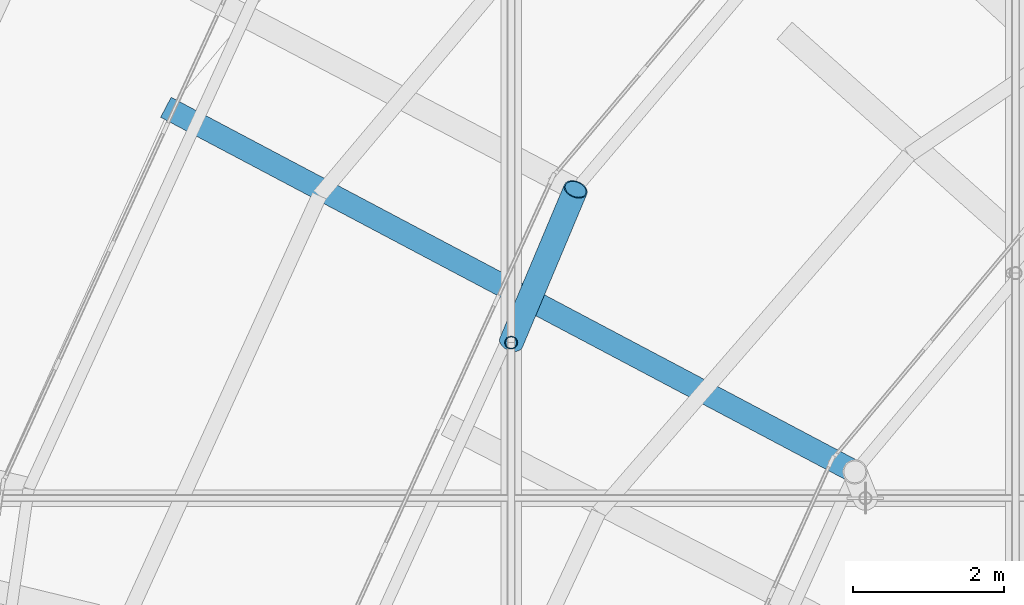
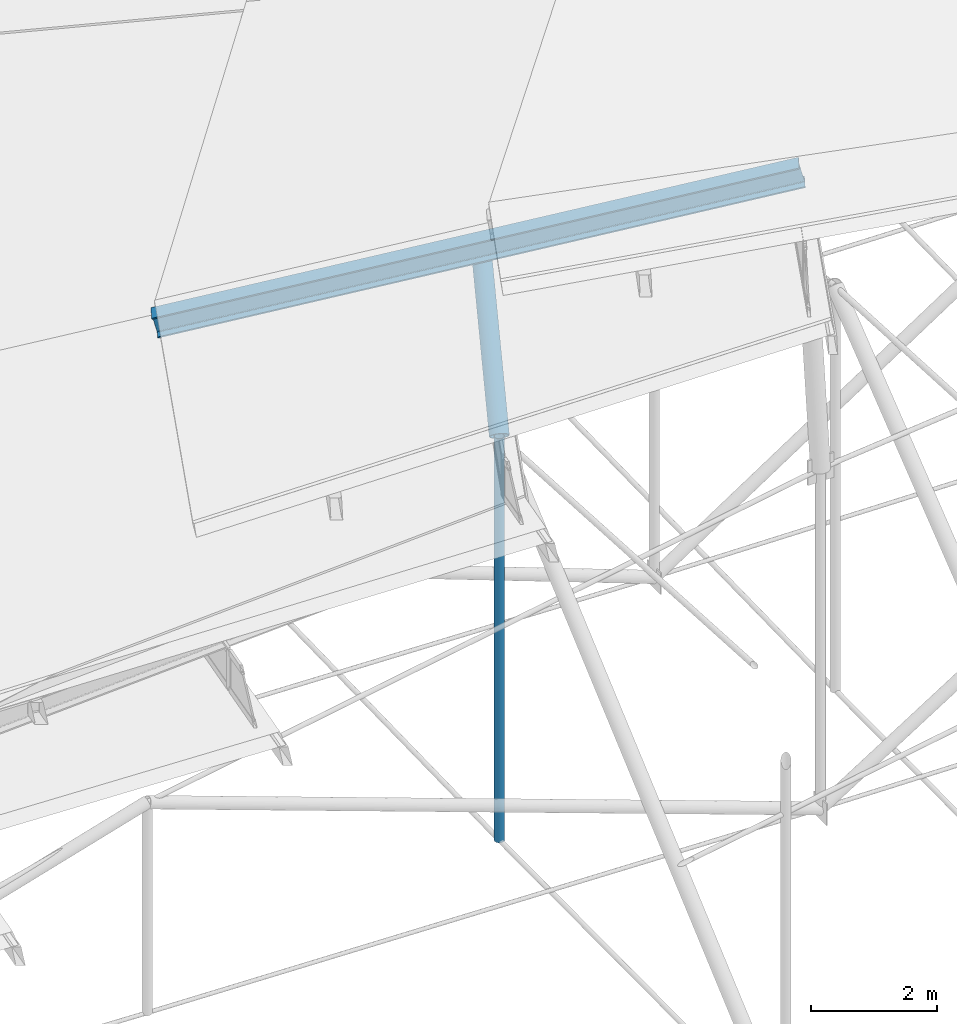
# One storey, part 45 of 173: 3 members.
"""IFC4 building model written with IfcOpenShell, lengths in metres."""

from ifc_helpers import new_model, si_unit, direction, frame, origin, origin_2d, place, context, subcontext, project, spatial, hollow_circle, i_section, extrude, material, material_profile, profile_set, type_object, element, save


model = new_model("IFC4")

# Units and contexts
model_context = context("Model", 3, precision=1e-05, world=origin(), true_north=direction((0.0, 1.0)))
body_context = subcontext(model_context, "Body", "Model", "MODEL_VIEW")
ifc_project = project(units=[si_unit("LENGTHUNIT", "METRE"), si_unit("AREAUNIT", "SQUARE_METRE"), si_unit("VOLUMEUNIT", "CUBIC_METRE"), si_unit("PLANEANGLEUNIT", "RADIAN"), si_unit("MASSUNIT", "GRAM", prefix="KILO")], contexts=[model_context])

# Site, building, storey
site_placement = place(None, origin())
site = spatial("IfcSite", under=ifc_project, at=site_placement, CompositionType="ELEMENT")
building_placement = place(site_placement, origin())
building = spatial("IfcBuilding", under=site, at=building_placement, Name="Glasvene Arena", CompositionType="ELEMENT")
storey_placement = place(building_placement, frame((0.0, 0.0, 28.800048828125)))
storey = spatial("IfcBuildingStorey", under=building, at=storey_placement, Name="RF", CompositionType="ELEMENT", Elevation=28.800048828125)

# Members
ifc_material = material(Name="Steel S355J2", Category="steel")
ifc_material_profile_1 = material_profile(ifc_material, i_section(OverallWidth=0.300048828125, OverallDepth=0.39990234375, WebThickness=0.013427734375, FlangeThickness=0.02392578125, FilletRadius=0.027099609375, at=origin_2d()), Name="HEB 400")
ifc_profile_set_1 = profile_set([ifc_material_profile_1], Name="Steel S355J2")
member_type_1 = type_object("IfcMemberType", Name="MB-CHORD-HEB400", PredefinedType="CHORD", material=ifc_profile_set_1)
member_1_placement = place(storey_placement, frame((58.0751953125, 85.199951171875, 7.39990234375), z_axis=(0.855938126036, -0.452926073298, 0.249455199434), x_axis=(0.46771216672, 0.88388083422, 0.0)))
element("IfcMember", 1, at=member_1_placement, inside=storey, type_object=member_type_1, Name="Petal ring 4 radial rib 11", PredefinedType="CHORD", context=body_context, shape_type="SweptSolid", body=[
    extrude(i_section(OverallWidth=0.300048828125, OverallDepth=0.39990234375, WebThickness=0.013427734375, FlangeThickness=0.02392578125, FilletRadius=0.027099609375, at=origin_2d()), origin(), (0.0, 0.0, 1.0), 10.623779296875),
])
ifc_material_profile_2 = material_profile(ifc_material, hollow_circle(Radius=0.161865234375, WallThickness=0.01611328125, at=origin_2d()), Name="CHS 323.9x16.0")
ifc_profile_set_2 = profile_set([ifc_material_profile_2], Name="Steel S355J2")
member_type_2 = type_object("IfcMemberType", Name="MB-POST-CHS324", PredefinedType="BRACE", material=ifc_profile_set_2)
member_2_placement = place(storey_placement, frame((62.610595703125, 82.101318359375, 5.499267578125), z_axis=(0.291623520737, 0.693303077561, 0.659004222139), x_axis=(-0.921774907347, 0.387725444337, 0.0)))
element("IfcMember", 2, at=member_2_placement, inside=storey, type_object=member_type_2, Name="Petal ring 3 ridge support post 11", PredefinedType="BRACE", context=body_context, shape_type="SweptSolid", body=[
    extrude(hollow_circle(Radius=0.161865234375, WallThickness=0.01611328125, at=origin_2d()), origin(), (0.0, 0.0, 1.0), 2.9326171875),
])
ifc_material_profile_3 = material_profile(ifc_material, hollow_circle(Radius=0.084228515625, WallThickness=0.008056640625, at=origin_2d()), Name="CHS 168.3x8.0")
ifc_profile_set_3 = profile_set([ifc_material_profile_3], Name="Steel S355J2")
member_type_3 = type_object("IfcMemberType", Name="MB-WEB-CHS168", PredefinedType="BRACE", material=ifc_profile_set_3)
member_3_placement = place(storey_placement, frame((62.610595703125, 82.101318359375, -2.328125), z_axis=(0.0, 0.0, 1.0), x_axis=(1.0, 0.0, 0.0)))
element("IfcMember", 3, at=member_3_placement, inside=storey, type_object=member_type_3, Name="Cable-truss vertical strut NS09-05", PredefinedType="BRACE", context=body_context, shape_type="SweptSolid", body=[
    extrude(hollow_circle(Radius=0.084228515625, WallThickness=0.008056640625, at=origin_2d()), origin(), (0.0, 0.0, 1.0), 7.827392578125),
])

save(model, "model.ifc")
